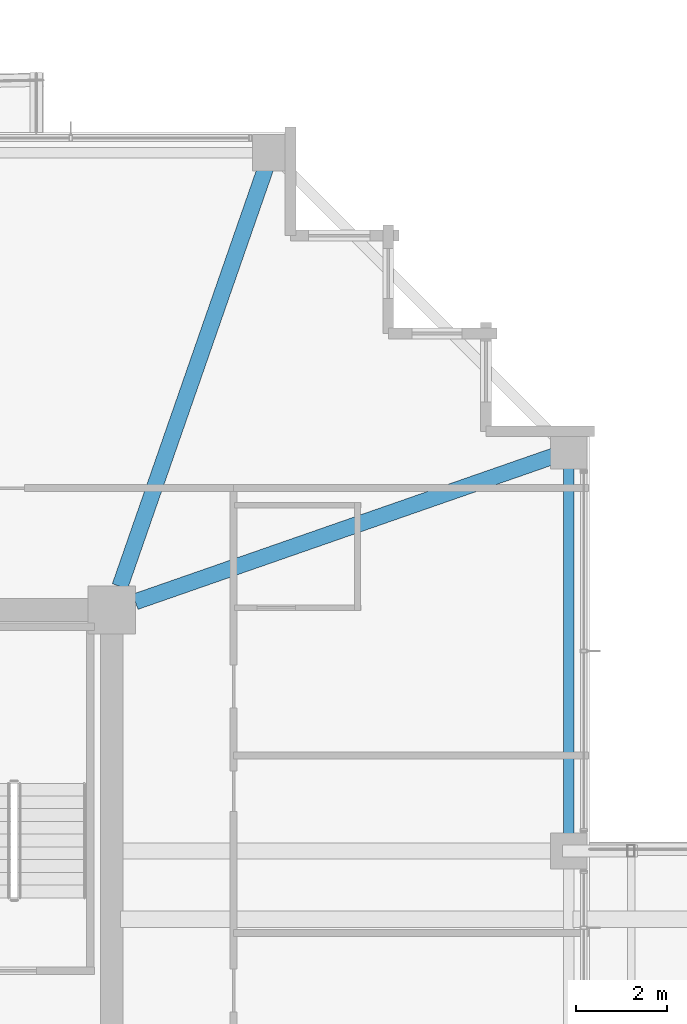
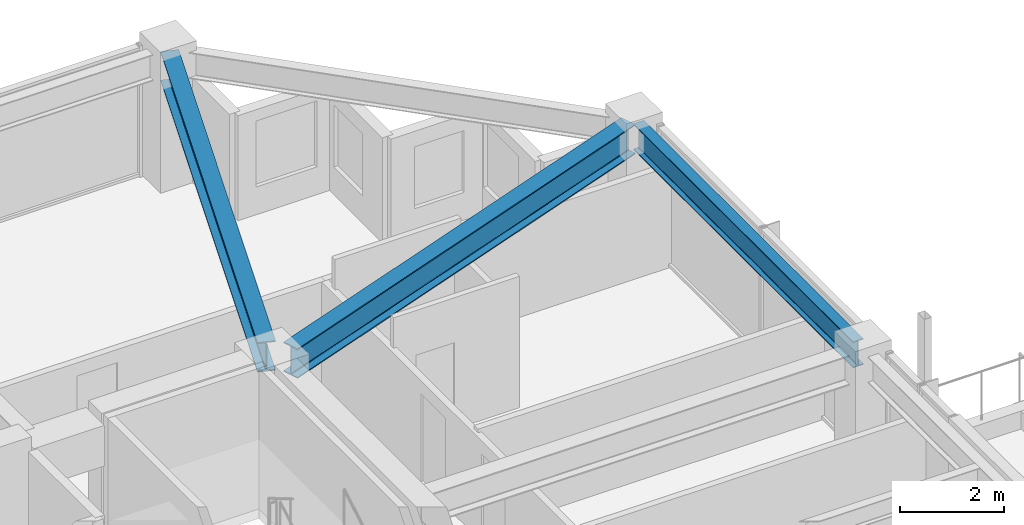
# One storey, part 23 of 38: 3 beams.
"""IFC4 building model written with IfcOpenShell, lengths in metres."""

from ifc_helpers import new_model, si_unit, direction, frame, origin, origin_2d, place, context, subcontext, project, spatial, i_section, extrude, material, material_profile, profile_set, type_object, element, save


model = new_model("IFC4")

# Units and contexts
model_context = context("Model", 3, precision=1e-05, world=origin(), true_north=direction((0.0, 1.0)))
body_context = subcontext(model_context, "Body", "Model", "MODEL_VIEW")
ifc_project = project(units=[si_unit("LENGTHUNIT", "METRE"), si_unit("AREAUNIT", "SQUARE_METRE"), si_unit("VOLUMEUNIT", "CUBIC_METRE"), si_unit("PLANEANGLEUNIT", "RADIAN"), si_unit("MASSUNIT", "GRAM", prefix="KILO")], contexts=[model_context])

# Site, building, storey
site_placement = place(None, origin())
site = spatial("IfcSite", under=ifc_project, at=site_placement, CompositionType="ELEMENT")
building_placement = place(site_placement, origin())
building = spatial("IfcBuilding", under=site, at=building_placement, Name="Kolvaren Belvedere", CompositionType="ELEMENT")
storey_placement = place(building_placement, frame((0.0, 0.0, 206.39990234375)))
storey = spatial("IfcBuildingStorey", under=building, at=storey_placement, Name="L60", CompositionType="ELEMENT", Elevation=206.39990234375)

# Beams
ifc_material_1 = material(Name="Structural steel ASTM A992 Grade 50", Category="steel")
ifc_material_profile_1 = material_profile(ifc_material_1, i_section(OverallWidth=0.35498046875, OverallDepth=0.696044921875, WebThickness=0.015380859375, FlangeThickness=0.02490234375, FilletRadius=0.02197265625, at=origin_2d()), Name="W27X146")
ifc_profile_set_1 = profile_set([ifc_material_profile_1], Name="Structural steel ASTM A992 Grade 50")
beam_type_1 = type_object("IfcBeamType", Name="BM-GIRD-W27X146", PredefinedType="BEAM", material=ifc_profile_set_1)
for number, where, z_axis, x_axis, name in (
    (1, (10.080810546875, 10.41943359375, 2.732177734375), (0.328898147971, 0.944365399758, 0.0), (-0.944365399758, 0.328898147971, 0.0), "L60 Corner Core-to-Perimeter Girder CC3-N4"),
    (2, (10.41943359375, 10.080810546875, 2.732177734375), (0.944365399758, 0.328898147971, 0.0), (-0.328898147971, 0.944365399758, 0.0), "L60 Corner Core-to-Perimeter Girder CC3-E4"),
):
    element("IfcBeam", number, at=place(storey_placement, frame(where, z_axis=z_axis, x_axis=x_axis)), inside=storey, type_object=beam_type_1, Name=name, PredefinedType="BEAM", context=body_context, shape_type="SweptSolid", body=[
        extrude(i_section(OverallWidth=0.35498046875, OverallDepth=0.696044921875, WebThickness=0.015380859375, FlangeThickness=0.02490234375, FilletRadius=0.02197265625, at=origin_2d()), origin(), (0.0, 0.0, 1.0), 9.931884765625),
    ])
ifc_material_2 = material(Name="Structural steel ASTM A992 Grade 50", Category="steel")
ifc_material_profile_2 = material_profile(ifc_material_2, i_section(OverallWidth=0.22900390625, OverallDepth=0.612060546875, WebThickness=0.011962890625, FlangeThickness=0.01953125, FilletRadius=0.01806640625, at=origin_2d()), Name="W24X84")
ifc_profile_set_2 = profile_set([ifc_material_profile_2], Name="Structural steel ASTM A992 Grade 50")
beam_type_2 = type_object("IfcBeamType", Name="BM-SPAN-W24X84", PredefinedType="SPANDREL", material=ifc_profile_set_2)
beam_placement = place(storey_placement, frame((19.949951171875, 4.780029296875, 2.774169921875), z_axis=(0.0, 1.0, 0.0), x_axis=(-1.0, 0.0, 0.0)))
element("IfcBeam", 3, at=beam_placement, inside=storey, type_object=beam_type_2, Name="L60 Perimeter Spandrel E3-E4", PredefinedType="SPANDREL", context=body_context, shape_type="SweptSolid", body=[
    extrude(i_section(OverallWidth=0.22900390625, OverallDepth=0.612060546875, WebThickness=0.011962890625, FlangeThickness=0.01953125, FilletRadius=0.01806640625, at=origin_2d()), origin(), (0.0, 0.0, 1.0), 8.43994140625),
])

save(model, "model.ifc")
